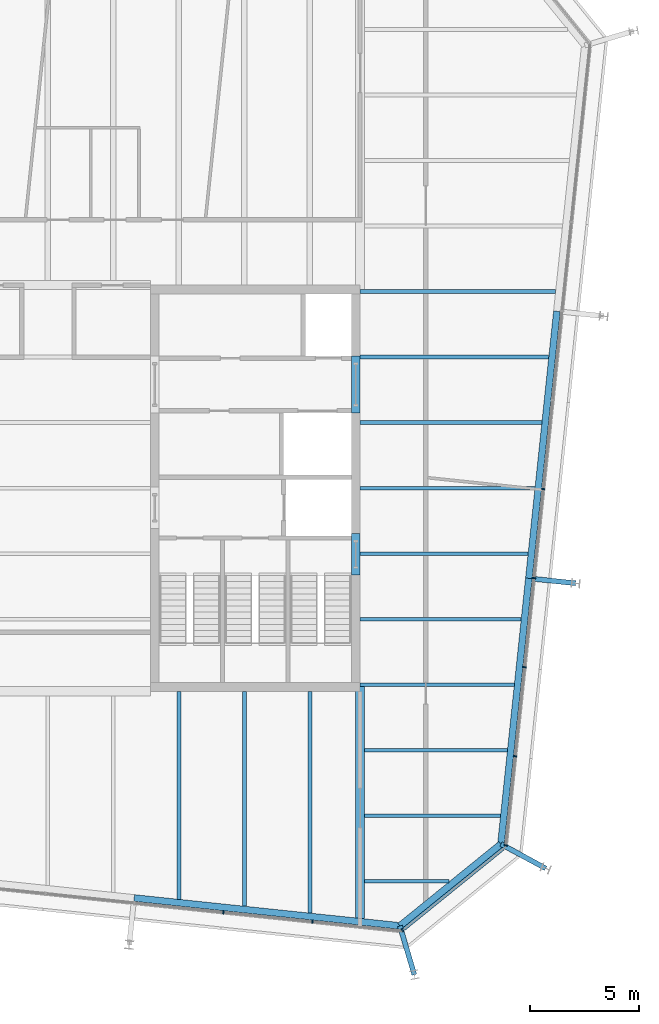
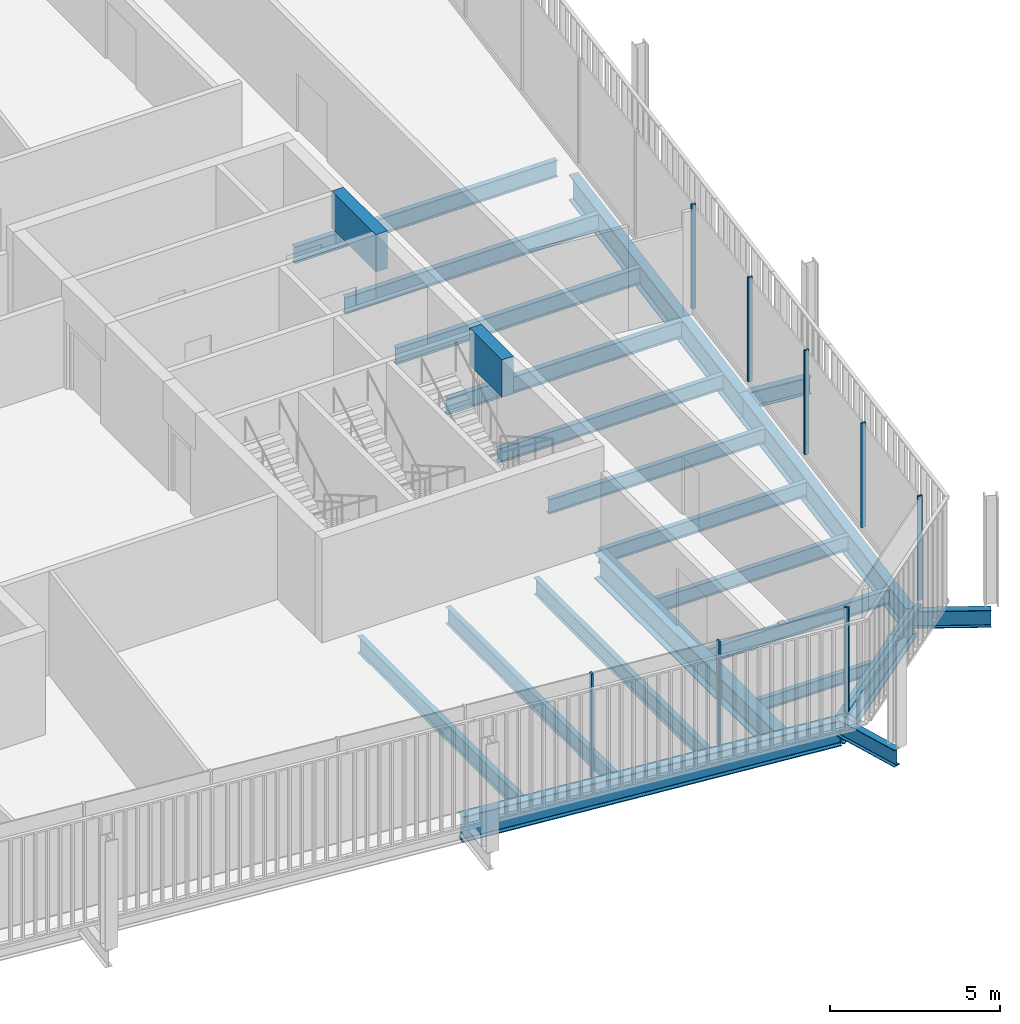
# One storey, part 9 of 20: 23 beams, 9 members, 3 elements without a shape of their own.
"""IFC4 building model written with IfcOpenShell, lengths in metres."""

from ifc_helpers import new_model, si_unit, direction, frame, origin, origin_2d, place, context, subcontext, project, spatial, rectangle, i_section, extrude, material, layer, layer_set, material_profile, profile_set, type_object, element, aggregate, save


model = new_model("IFC4")

# Units and contexts
model_context = context("Model", 3, precision=1e-05, world=origin(), true_north=direction((0.0, 1.0)))
body_context = subcontext(model_context, "Body", "Model", "MODEL_VIEW")
ifc_project = project(units=[si_unit("LENGTHUNIT", "METRE"), si_unit("AREAUNIT", "SQUARE_METRE"), si_unit("VOLUMEUNIT", "CUBIC_METRE"), si_unit("PLANEANGLEUNIT", "RADIAN"), si_unit("MASSUNIT", "GRAM", prefix="KILO")], contexts=[model_context])

# Site, building, storey
site_placement = place(None, origin())
site = spatial("IfcSite", under=ifc_project, at=site_placement, CompositionType="ELEMENT")
building_placement = place(site_placement, origin())
building = spatial("IfcBuilding", under=site, at=building_placement, Name="Millrace Tower", CompositionType="ELEMENT")
storey_placement = place(building_placement, frame((0.0, 0.0, 279.89990234375)))
storey = spatial("IfcBuildingStorey", under=building, at=storey_placement, Name="L64", CompositionType="ELEMENT", Elevation=279.89990234375)

# Curtain wall, members
ifc_material_1 = material(Name="Aluminium and glass", Category="aluminium")
ifc_layer = layer(ifc_material_1, 0.14990234375)
ifc_layer_set = layer_set([ifc_layer], Name="Aluminium and glass")
curtain_wall_type = type_object("IfcCurtainWallType", Name="CW-1 office vision curtain wall", PredefinedType="NOTDEFINED", material=ifc_layer_set)
placement = place(storey_placement, origin())
curtain_wall_1 = element("IfcCurtainWall", 1, at=placement, inside=storey, type_object=curtain_wall_type, Name="Curtain wall E-F02 L64", PredefinedType="NOTDEFINED")
ifc_material_2 = material(Name="Aluminium", Category="aluminium")
ifc_material_profile_1 = material_profile(ifc_material_2, rectangle(XDim=0.06494140625, YDim=0.14990234375, at=origin_2d()))
ifc_profile_set_1 = profile_set([ifc_material_profile_1], Name="Aluminium")
member_type_1 = type_object("IfcMemberType", Name="CW-1 office vision curtain wall mullion", PredefinedType="MULLION", material=ifc_profile_set_1)
member_1_placement = place(storey_placement, frame((8.040283203125, -19.4248046875, 0.14013671875), z_axis=(0.0, 0.0, 1.0), x_axis=(0.994521896217, -0.104528455196, 0.0)))
member_1 = element("IfcMember", 2, at=member_1_placement, type_object=member_type_1, Name="CW1 mullion E-F02.8", PredefinedType="MULLION", context=body_context, shape_type="SweptSolid", body=[
    extrude(rectangle(XDim=0.06494140625, YDim=0.14990234375, at=origin_2d()), origin(), (0.0, 0.0, 1.0), 3.760009765625),
])
member_2_placement = place(storey_placement, frame((12.117919921875, -19.853271484375, 0.14013671875), z_axis=(0.0, 0.0, 1.0), x_axis=(0.994521896217, -0.104528455196, 0.0)))
member_2 = element("IfcMember", 3, at=member_2_placement, type_object=member_type_1, Name="CW1 mullion E-F02.9", PredefinedType="MULLION", context=body_context, shape_type="SweptSolid", body=[
    extrude(rectangle(XDim=0.06494140625, YDim=0.14990234375, at=origin_2d()), origin(), (0.0, 0.0, 1.0), 3.760009765625),
])
aggregate(curtain_wall_1, [member_1, member_2])

# Curtain wall, member
curtain_wall_2 = element("IfcCurtainWall", 4, at=placement, inside=storey, type_object=curtain_wall_type, Name="Curtain wall E-F03 L64", PredefinedType="NOTDEFINED")
member_3_placement = place(storey_placement, frame((16.243408203125, -20.24169921875, 0.14013671875), z_axis=(0.0, 0.0, 1.0), x_axis=(0.777146052237, 0.629320278945, 0.0)))
member_3 = element("IfcMember", 5, at=member_3_placement, type_object=member_type_1, Name="CW1 mullion E-F03.1", PredefinedType="MULLION", context=body_context, shape_type="SweptSolid", body=[
    extrude(rectangle(XDim=0.06494140625, YDim=0.14990234375, at=origin_2d()), origin(), (0.0, 0.0, 1.0), 3.760009765625),
])

# Curtain wall, members
curtain_wall_3 = element("IfcCurtainWall", 6, at=placement, inside=storey, type_object=curtain_wall_type, Name="Curtain wall E-F04 L64", PredefinedType="NOTDEFINED")
member_4_placement = place(storey_placement, frame((20.974853515625, -16.3525390625, 0.14013671875), z_axis=(0.0, 0.0, 1.0), x_axis=(0.104528455196, 0.994521896217, 0.0)))
member_4 = element("IfcMember", 7, at=member_4_placement, type_object=member_type_1, Name="CW1 mullion E-F04.1", PredefinedType="MULLION", context=body_context, shape_type="SweptSolid", body=[
    extrude(rectangle(XDim=0.06494140625, YDim=0.14990234375, at=origin_2d()), origin(), (0.0, 0.0, 1.0), 3.760009765625),
])
member_5_placement = place(storey_placement, frame((21.4033203125, -12.27490234375, 0.14013671875), z_axis=(0.0, 0.0, 1.0), x_axis=(0.104528455196, 0.994521896217, 0.0)))
member_5 = element("IfcMember", 8, at=member_5_placement, type_object=member_type_1, Name="CW1 mullion E-F04.2", PredefinedType="MULLION", context=body_context, shape_type="SweptSolid", body=[
    extrude(rectangle(XDim=0.06494140625, YDim=0.14990234375, at=origin_2d()), origin(), (0.0, 0.0, 1.0), 3.760009765625),
])
member_6_placement = place(storey_placement, frame((21.83203125, -8.197509765625, 0.14013671875), z_axis=(0.0, 0.0, 1.0), x_axis=(0.104528455196, 0.994521896217, 0.0)))
member_6 = element("IfcMember", 9, at=member_6_placement, type_object=member_type_1, Name="CW1 mullion E-F04.3", PredefinedType="MULLION", context=body_context, shape_type="SweptSolid", body=[
    extrude(rectangle(XDim=0.06494140625, YDim=0.14990234375, at=origin_2d()), origin(), (0.0, 0.0, 1.0), 3.760009765625),
])
member_7_placement = place(storey_placement, frame((22.260498046875, -4.119873046875, 0.14013671875), z_axis=(0.0, 0.0, 1.0), x_axis=(0.104528455196, 0.994521896217, 0.0)))
member_7 = element("IfcMember", 10, at=member_7_placement, type_object=member_type_1, Name="CW1 mullion E-F04.4", PredefinedType="MULLION", context=body_context, shape_type="SweptSolid", body=[
    extrude(rectangle(XDim=0.06494140625, YDim=0.14990234375, at=origin_2d()), origin(), (0.0, 0.0, 1.0), 3.760009765625),
])
member_8_placement = place(storey_placement, frame((22.68896484375, -0.042236328125, 0.14013671875), z_axis=(0.0, 0.0, 1.0), x_axis=(0.104528455196, 0.994521896217, 0.0)))
member_8 = element("IfcMember", 11, at=member_8_placement, type_object=member_type_1, Name="CW1 mullion E-F04.5", PredefinedType="MULLION", context=body_context, shape_type="SweptSolid", body=[
    extrude(rectangle(XDim=0.06494140625, YDim=0.14990234375, at=origin_2d()), origin(), (0.0, 0.0, 1.0), 3.760009765625),
])
aggregate(curtain_wall_3, [member_4, member_5, member_6, member_7, member_8])

# Member
ifc_material_3 = material(Name="Aluminium", Category="aluminium")
ifc_material_profile_2 = material_profile(ifc_material_3, rectangle(XDim=0.14990234375, YDim=0.139892578125, at=origin_2d()))
ifc_profile_set_2 = profile_set([ifc_material_profile_2], Name="Aluminium")
member_type_2 = type_object("IfcMemberType", Name="CW-1 office vision curtain wall transom", PredefinedType="USERDEFINED", material=ifc_profile_set_2)
member_9_placement = place(storey_placement, frame((16.2958984375, -20.19921875, 0.070068359375), z_axis=(0.77714915117, 0.629316452061, 0.0), x_axis=(-0.629316452061, 0.77714915117, 0.0)))
member_9 = element("IfcMember", 12, at=member_9_placement, type_object=member_type_2, Name="CW1 transom E-F03.1", ObjectType="TRANSOM", PredefinedType="USERDEFINED", context=body_context, shape_type="SweptSolid", body=[
    extrude(rectangle(XDim=0.14990234375, YDim=0.139892578125, at=origin_2d()), origin(), (0.0, 0.0, 1.0), 5.880859375),
])

aggregate(curtain_wall_2, [member_3, member_9])

# Beams
ifc_material_4 = material(Name="Concrete C60", Category="concrete")
ifc_material_profile_3 = material_profile(ifc_material_4, rectangle(XDim=0.39990234375, YDim=1.340087890625, at=origin_2d()))
ifc_profile_set_3 = profile_set([ifc_material_profile_3], Name="Concrete C60")
beam_type_1 = type_object("IfcBeamType", Name="Coupling beam 400 x 1340 Concrete C60, 1300 opening", PredefinedType="BEAM", material=ifc_profile_set_3)
beam_1_placement = place(storey_placement, frame((14.10009765625, -2.080078125, 3.070068359375), z_axis=(0.0, -1.0, 0.0), x_axis=(1.0, 0.0, 0.0)))
element("IfcBeam", 13, at=beam_1_placement, inside=storey, type_object=beam_type_1, Name="Coupling beam E L64", PredefinedType="BEAM", context=body_context, shape_type="SweptSolid", body=[
    extrude(rectangle(XDim=0.39990234375, YDim=1.340087890625, at=origin_2d()), origin(), (0.0, 0.0, 1.0), 1.89990234375),
])
ifc_material_5 = material(Name="Concrete C60", Category="concrete")
ifc_material_profile_4 = material_profile(ifc_material_5, rectangle(XDim=0.39990234375, YDim=1.340087890625, at=origin_2d()))
ifc_profile_set_4 = profile_set([ifc_material_profile_4], Name="Concrete C60")
beam_type_2 = type_object("IfcBeamType", Name="Coupling beam 400 x 1340 Concrete C60, 2000 opening", PredefinedType="BEAM", material=ifc_profile_set_4)
beam_2_placement = place(storey_placement, frame((14.10009765625, 6.050048828125, 3.070068359375), z_axis=(0.0, -1.0, 0.0), x_axis=(1.0, 0.0, 0.0)))
element("IfcBeam", 14, at=beam_2_placement, inside=storey, type_object=beam_type_2, Name="Coupling beam E L64", PredefinedType="BEAM", context=body_context, shape_type="SweptSolid", body=[
    extrude(rectangle(XDim=0.39990234375, YDim=1.340087890625, at=origin_2d()), origin(), (0.0, 0.0, 1.0), 2.60009765625),
])
ifc_material_6 = material(Name="Steel ASTM A992 Grade 50", Category="steel")
ifc_material_profile_5 = material_profile(ifc_material_6, i_section(OverallWidth=0.15234375, OverallDepth=0.449462890625, WebThickness=0.007568359375, FlangeThickness=0.0107421875, FilletRadius=0.01025390625, at=origin_2d()))
ifc_profile_set_5 = profile_set([ifc_material_profile_5], Name="Steel ASTM A992 Grade 50")
beam_type_3 = type_object("IfcBeamType", Name="Floor beam W18x35", PredefinedType="JOIST", material=ifc_profile_set_5)
beam_3_placement = place(storey_placement, frame((14.509521484375, -18.0, -0.384765625), z_axis=(1.0, 0.0, 0.0), x_axis=(0.0, 1.0, 0.0)))
element("IfcBeam", 15, at=beam_3_placement, inside=storey, type_object=beam_type_3, Name="BM-E-L64-S1-S001", PredefinedType="JOIST", context=body_context, shape_type="SweptSolid", body=[
    extrude(i_section(OverallWidth=0.15234375, OverallDepth=0.449462890625, WebThickness=0.007568359375, FlangeThickness=0.0107421875, FilletRadius=0.01025390625, at=origin_2d()), origin(), (0.0, 0.0, 1.0), 3.87060546875),
])
ifc_material_7 = material(Name="Steel ASTM A992 Grade 50", Category="steel")
ifc_material_profile_6 = material_profile(ifc_material_7, i_section(OverallWidth=0.1650390625, OverallDepth=0.52587890625, WebThickness=0.0087890625, FlangeThickness=0.011474609375, FilletRadius=0.0126953125, at=origin_2d()))
ifc_profile_set_6 = profile_set([ifc_material_profile_6], Name="Steel ASTM A992 Grade 50")
beam_type_4 = type_object("IfcBeamType", Name="Floor beam W21x44", PredefinedType="JOIST", material=ifc_profile_set_6)
beam_4_placement = place(storey_placement, frame((14.509521484375, -15.0, -0.4228515625), z_axis=(1.0, 0.0, 0.0), x_axis=(0.0, 1.0, 0.0)))
element("IfcBeam", 16, at=beam_4_placement, inside=storey, type_object=beam_type_4, Name="BM-E-L64-S1-S003", PredefinedType="JOIST", context=body_context, shape_type="SweptSolid", body=[
    extrude(i_section(OverallWidth=0.1650390625, OverallDepth=0.52587890625, WebThickness=0.0087890625, FlangeThickness=0.011474609375, FilletRadius=0.0126953125, at=origin_2d()), origin(), (0.0, 0.0, 1.0), 6.222900390625),
])
beam_5_placement = place(storey_placement, frame((14.509521484375, -12.0, -0.4228515625), z_axis=(1.0, 0.0, 0.0), x_axis=(0.0, 1.0, 0.0)))
element("IfcBeam", 17, at=beam_5_placement, inside=storey, type_object=beam_type_4, Name="BM-E-L64-S1-S005", PredefinedType="JOIST", context=body_context, shape_type="SweptSolid", body=[
    extrude(i_section(OverallWidth=0.1650390625, OverallDepth=0.52587890625, WebThickness=0.0087890625, FlangeThickness=0.011474609375, FilletRadius=0.0126953125, at=origin_2d()), origin(), (0.0, 0.0, 1.0), 6.538330078125),
])
beam_6_placement = place(storey_placement, frame((14.300048828125, -9.0, -0.4228515625), z_axis=(1.0, 0.0, 0.0), x_axis=(0.0, 1.0, 0.0)))
element("IfcBeam", 18, at=beam_6_placement, inside=storey, type_object=beam_type_4, Name="BM-E-L64-S1-S007", PredefinedType="JOIST", context=body_context, shape_type="SweptSolid", body=[
    extrude(i_section(OverallWidth=0.1650390625, OverallDepth=0.52587890625, WebThickness=0.0087890625, FlangeThickness=0.011474609375, FilletRadius=0.0126953125, at=origin_2d()), origin(), (0.0, 0.0, 1.0), 7.06298828125),
])
beam_7_placement = place(storey_placement, frame((14.300048828125, -6.0, -0.4228515625), z_axis=(1.0, 0.0, 0.0), x_axis=(0.0, 1.0, 0.0)))
element("IfcBeam", 19, at=beam_7_placement, inside=storey, type_object=beam_type_4, Name="BM-E-L64-S1-S010", PredefinedType="JOIST", context=body_context, shape_type="SweptSolid", body=[
    extrude(i_section(OverallWidth=0.1650390625, OverallDepth=0.52587890625, WebThickness=0.0087890625, FlangeThickness=0.011474609375, FilletRadius=0.0126953125, at=origin_2d()), origin(), (0.0, 0.0, 1.0), 7.37841796875),
])
beam_8_placement = place(storey_placement, frame((14.300048828125, -3.0, -0.4228515625), z_axis=(1.0, 0.0, 0.0), x_axis=(0.0, 1.0, 0.0)))
element("IfcBeam", 20, at=beam_8_placement, inside=storey, type_object=beam_type_4, Name="BM-E-L64-S1-S013", PredefinedType="JOIST", context=body_context, shape_type="SweptSolid", body=[
    extrude(i_section(OverallWidth=0.1650390625, OverallDepth=0.52587890625, WebThickness=0.0087890625, FlangeThickness=0.011474609375, FilletRadius=0.0126953125, at=origin_2d()), origin(), (0.0, 0.0, 1.0), 7.693603515625),
])
ifc_material_8 = material(Name="Steel ASTM A992 Grade 50", Category="steel")
ifc_material_profile_7 = material_profile(ifc_material_8, i_section(OverallWidth=0.177978515625, OverallDepth=0.599365234375, WebThickness=0.010009765625, FlangeThickness=0.012939453125, FilletRadius=0.012939453125, at=origin_2d()))
ifc_profile_set_7 = profile_set([ifc_material_profile_7], Name="Steel ASTM A992 Grade 50")
beam_type_5 = type_object("IfcBeamType", Name="Floor beam W24x55", PredefinedType="JOIST", material=ifc_profile_set_7)
beam_9_placement = place(storey_placement, frame((14.300048828125, 0.0, -0.459716796875), z_axis=(1.0, 0.0, 0.0), x_axis=(0.0, 1.0, 0.0)))
element("IfcBeam", 21, at=beam_9_placement, inside=storey, type_object=beam_type_5, Name="BM-E-L64-S1-S016", PredefinedType="JOIST", context=body_context, shape_type="SweptSolid", body=[
    extrude(i_section(OverallWidth=0.177978515625, OverallDepth=0.599365234375, WebThickness=0.010009765625, FlangeThickness=0.012939453125, FilletRadius=0.012939453125, at=origin_2d()), origin(), (0.0, 0.0, 1.0), 8.009033203125),
])
beam_10_placement = place(storey_placement, frame((14.300048828125, 3.0, -0.459716796875), z_axis=(1.0, 0.0, 0.0), x_axis=(0.0, 1.0, 0.0)))
element("IfcBeam", 22, at=beam_10_placement, inside=storey, type_object=beam_type_5, Name="BM-E-L64-S1-S019", PredefinedType="JOIST", context=body_context, shape_type="SweptSolid", body=[
    extrude(i_section(OverallWidth=0.177978515625, OverallDepth=0.599365234375, WebThickness=0.010009765625, FlangeThickness=0.012939453125, FilletRadius=0.012939453125, at=origin_2d()), origin(), (0.0, 0.0, 1.0), 8.324462890625),
])
beam_11_placement = place(storey_placement, frame((14.300048828125, 6.0, -0.459716796875), z_axis=(1.0, 0.0, 0.0), x_axis=(0.0, 1.0, 0.0)))
element("IfcBeam", 23, at=beam_11_placement, inside=storey, type_object=beam_type_5, Name="BM-E-L64-S1-S022", PredefinedType="JOIST", context=body_context, shape_type="SweptSolid", body=[
    extrude(i_section(OverallWidth=0.177978515625, OverallDepth=0.599365234375, WebThickness=0.010009765625, FlangeThickness=0.012939453125, FilletRadius=0.012939453125, at=origin_2d()), origin(), (0.0, 0.0, 1.0), 8.6396484375),
])
beam_12_placement = place(storey_placement, frame((14.300048828125, 9.0, -0.459716796875), z_axis=(1.0, 0.0, 0.0), x_axis=(0.0, 1.0, 0.0)))
element("IfcBeam", 24, at=beam_12_placement, inside=storey, type_object=beam_type_5, Name="BM-E-L64-S1-S024", PredefinedType="JOIST", context=body_context, shape_type="SweptSolid", body=[
    extrude(i_section(OverallWidth=0.177978515625, OverallDepth=0.599365234375, WebThickness=0.010009765625, FlangeThickness=0.012939453125, FilletRadius=0.012939453125, at=origin_2d()), origin(), (0.0, 0.0, 1.0), 8.955078125),
])
beam_13_placement = place(storey_placement, frame((6.0, -18.825927734375, -0.459716796875), z_axis=(0.0, 1.0, 0.0), x_axis=(-1.0, 0.0, 0.0)))
element("IfcBeam", 25, at=beam_13_placement, inside=storey, type_object=beam_type_5, Name="BM-E-L64-S1-S049", PredefinedType="JOIST", context=body_context, shape_type="SweptSolid", body=[
    extrude(i_section(OverallWidth=0.177978515625, OverallDepth=0.599365234375, WebThickness=0.010009765625, FlangeThickness=0.012939453125, FilletRadius=0.012939453125, at=origin_2d()), origin(), (0.0, 0.0, 1.0), 9.52587890625),
])
beam_14_placement = place(storey_placement, frame((9.0, -19.14111328125, -0.459716796875), z_axis=(0.0, 1.0, 0.0), x_axis=(-1.0, 0.0, 0.0)))
element("IfcBeam", 26, at=beam_14_placement, inside=storey, type_object=beam_type_5, Name="BM-E-L64-S1-S051", PredefinedType="JOIST", context=body_context, shape_type="SweptSolid", body=[
    extrude(i_section(OverallWidth=0.177978515625, OverallDepth=0.599365234375, WebThickness=0.010009765625, FlangeThickness=0.012939453125, FilletRadius=0.012939453125, at=origin_2d()), origin(), (0.0, 0.0, 1.0), 9.841064453125),
])
ifc_material_9 = material(Name="Steel ASTM A992 Grade 50", Category="steel")
ifc_material_profile_8 = material_profile(ifc_material_9, i_section(OverallWidth=0.1787109375, OverallDepth=0.60205078125, WebThickness=0.010986328125, FlangeThickness=0.014892578125, FilletRadius=0.0126953125, at=origin_2d()))
ifc_profile_set_8 = profile_set([ifc_material_profile_8], Name="Steel ASTM A992 Grade 50")
beam_type_6 = type_object("IfcBeamType", Name="Floor beam W24x62", PredefinedType="JOIST", material=ifc_profile_set_8)
beam_15_placement = place(storey_placement, frame((12.0, -19.45654296875, -0.4609375), z_axis=(0.0, 1.0, 0.0), x_axis=(-1.0, 0.0, 0.0)))
element("IfcBeam", 27, at=beam_15_placement, inside=storey, type_object=beam_type_6, Name="BM-E-L64-S1-S053", PredefinedType="JOIST", context=body_context, shape_type="SweptSolid", body=[
    extrude(i_section(OverallWidth=0.1787109375, OverallDepth=0.60205078125, WebThickness=0.010986328125, FlangeThickness=0.014892578125, FilletRadius=0.0126953125, at=origin_2d()), origin(), (0.0, 0.0, 1.0), 10.156494140625),
])
ifc_material_10 = material(Name="Steel ASTM A992 Grade 50", Category="steel")
ifc_material_profile_9 = material_profile(ifc_material_10, i_section(OverallWidth=0.419189453125, OverallDepth=0.927001953125, WebThickness=0.019287109375, FlangeThickness=0.031982421875, FilletRadius=0.024169921875, at=origin_2d()))
ifc_profile_set_9 = profile_set([ifc_material_profile_9], Name="Steel ASTM A992 Grade 50")
beam_type_7 = type_object("IfcBeamType", Name="Girder short span W36x231", PredefinedType="BEAM", material=ifc_profile_set_9)
beam_16_placement = place(storey_placement, frame((14.300048828125, -19.6982421875, -0.62353515625), z_axis=(0.0, 1.0, 0.0), x_axis=(-1.0, 0.0, 0.0)))
element("IfcBeam", 28, at=beam_16_placement, inside=storey, type_object=beam_type_7, Name="BM-E-L64-S1-G057", PredefinedType="BEAM", context=body_context, shape_type="SweptSolid", body=[
    extrude(i_section(OverallWidth=0.419189453125, OverallDepth=0.927001953125, WebThickness=0.019287109375, FlangeThickness=0.031982421875, FilletRadius=0.024169921875, at=origin_2d()), origin(), (0.0, 0.0, 1.0), 10.6142578125),
])
ifc_material_11 = material(Name="Steel ASTM A992 Grade 50", Category="steel")
ifc_material_profile_10 = material_profile(ifc_material_11, i_section(OverallWidth=0.23046875, OverallDepth=0.6171875, WebThickness=0.01318359375, FlangeThickness=0.022216796875, FilletRadius=0.012939453125, at=origin_2d()))
ifc_profile_set_10 = profile_set([ifc_material_profile_10], Name="Steel ASTM A992 Grade 50")
beam_type_8 = type_object("IfcBeamType", Name="Link beam W24x94", PredefinedType="BEAM", material=ifc_profile_set_10)
beam_17_placement = place(storey_placement, frame((22.1826171875, -4.144287109375, -0.468505859375), z_axis=(0.99452550138, -0.104494148666, 0.0), x_axis=(0.104494148666, 0.99452550138, 0.0)))
element("IfcBeam", 29, at=beam_17_placement, inside=storey, type_object=beam_type_8, Name="LNK-E-L64-S1-11", PredefinedType="BEAM", context=body_context, shape_type="SweptSolid", body=[
    extrude(i_section(OverallWidth=0.23046875, OverallDepth=0.6171875, WebThickness=0.01318359375, FlangeThickness=0.022216796875, FilletRadius=0.012939453125, at=origin_2d()), origin(), (0.0, 0.0, 1.0), 2.0),
])
for number, where, z_axis, x_axis, name in (
    (30, (20.750732421875, -16.297607421875, -0.468505859375), (0.87881453358, -0.477163510307, 0.0), (0.477163510307, 0.87881453358, 0.0), "LNK-E-L64-S1-12"),
    (31, (16.123779296875, -20.04443359375, -0.468505859375), (0.283934988541, -0.958843533785, 0.0), (0.958843533785, 0.283934988541, 0.0), "LNK-E-L64-S1-13"),
):
    element("IfcBeam", number, at=place(storey_placement, frame(where, z_axis=z_axis, x_axis=x_axis)), inside=storey, type_object=beam_type_8, Name=name, PredefinedType="BEAM", context=body_context, shape_type="SweptSolid", body=[
        extrude(i_section(OverallWidth=0.23046875, OverallDepth=0.6171875, WebThickness=0.01318359375, FlangeThickness=0.022216796875, FilletRadius=0.012939453125, at=origin_2d()), origin(), (0.0, 0.0, 1.0), 2.3310546875),
    ])
ifc_material_12 = material(Name="Steel ASTM A992 Grade 50", Category="steel")
ifc_material_profile_11 = material_profile(ifc_material_12, i_section(OverallWidth=0.307373046875, OverallDepth=0.927001953125, WebThickness=0.01953125, FlangeThickness=0.031982421875, FilletRadius=0.01904296875, at=origin_2d()))
ifc_profile_set_11 = profile_set([ifc_material_profile_11], Name="Steel ASTM A992 Grade 50")
beam_type_9 = type_object("IfcBeamType", Name="Ring beam medium span W36x194", PredefinedType="SPANDREL", material=ifc_profile_set_11)
beam_18_placement = place(storey_placement, frame((23.3154296875, 8.104248046875, -0.62353515625), z_axis=(-0.10452566363, -0.994522189618, 0.0), x_axis=(0.994522189618, -0.10452566363, 0.0)))
element("IfcBeam", 32, at=beam_18_placement, inside=storey, type_object=beam_type_9, Name="RNG-E-L64-S1-10", PredefinedType="SPANDREL", context=body_context, shape_type="SweptSolid", body=[
    extrude(i_section(OverallWidth=0.307373046875, OverallDepth=0.927001953125, WebThickness=0.01953125, FlangeThickness=0.031982421875, FilletRadius=0.01904296875, at=origin_2d()), origin(), (0.0, 0.0, 1.0), 12.2998046875),
])
for number, where, z_axis, x_axis, name in (
    (33, (22.02978515625, -4.128173828125, -0.62353515625), (-0.104527955888, -0.994521948696, 0.0), (0.994521948696, -0.104527955888, 0.0), "RNG-E-L64-S1-11"),
    (34, (16.123779296875, -20.04443359375, -0.62353515625), (-0.994521948696, 0.104527955888, 0.0), (-0.104527955888, -0.994521948696, 0.0), "RNG-E-L64-S1-13"),
):
    element("IfcBeam", number, at=place(storey_placement, frame(where, z_axis=z_axis, x_axis=x_axis)), inside=storey, type_object=beam_type_9, Name=name, PredefinedType="SPANDREL", context=body_context, shape_type="SweptSolid", body=[
        extrude(i_section(OverallWidth=0.307373046875, OverallDepth=0.927001953125, WebThickness=0.01953125, FlangeThickness=0.031982421875, FilletRadius=0.01904296875, at=origin_2d()), origin(), (0.0, 0.0, 1.0), 12.236572265625),
    ])
ifc_material_13 = material(Name="Steel ASTM A992 Grade 50", Category="steel")
ifc_material_profile_12 = material_profile(ifc_material_13, i_section(OverallWidth=0.307373046875, OverallDepth=0.927001953125, WebThickness=0.01953125, FlangeThickness=0.031982421875, FilletRadius=0.01904296875, at=origin_2d()))
ifc_profile_set_12 = profile_set([ifc_material_profile_12], Name="Steel ASTM A992 Grade 50")
beam_type_10 = type_object("IfcBeamType", Name="Ring beam short span W36x194", PredefinedType="SPANDREL", material=ifc_profile_set_12)
beam_19_placement = place(storey_placement, frame((20.750732421875, -16.297607421875, -0.62353515625), z_axis=(-0.777146502883, -0.629319722443, 0.0), x_axis=(0.629319722443, -0.777146502883, 0.0)))
element("IfcBeam", 35, at=beam_19_placement, inside=storey, type_object=beam_type_10, Name="RNG-E-L64-S1-12", PredefinedType="SPANDREL", context=body_context, shape_type="SweptSolid", body=[
    extrude(i_section(OverallWidth=0.307373046875, OverallDepth=0.927001953125, WebThickness=0.01953125, FlangeThickness=0.031982421875, FilletRadius=0.01904296875, at=origin_2d()), origin(), (0.0, 0.0, 1.0), 5.953857421875),
])

save(model, "model.ifc")
